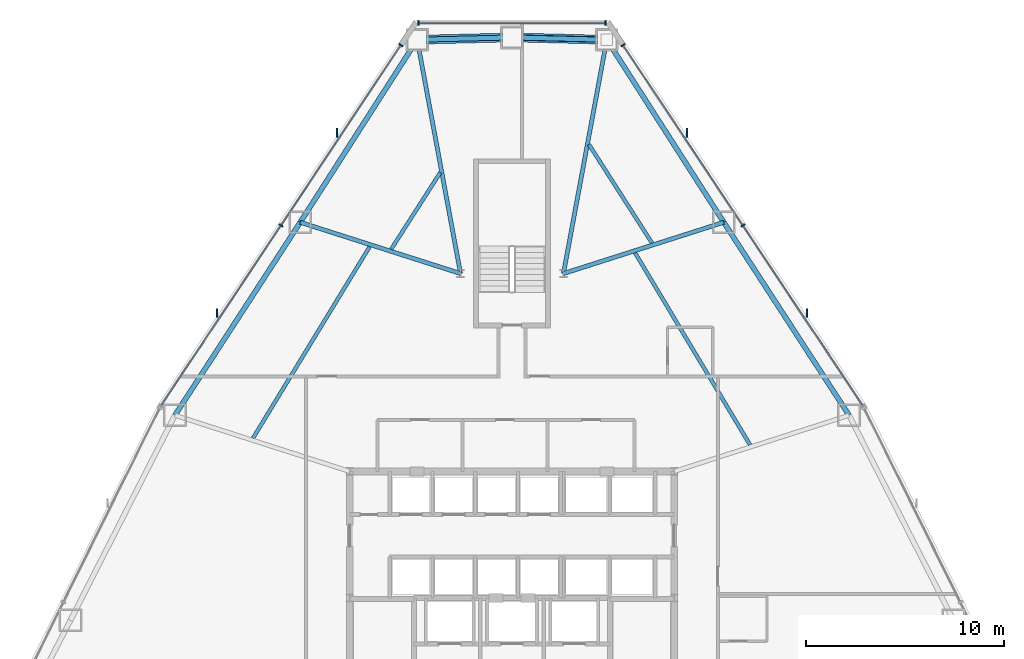
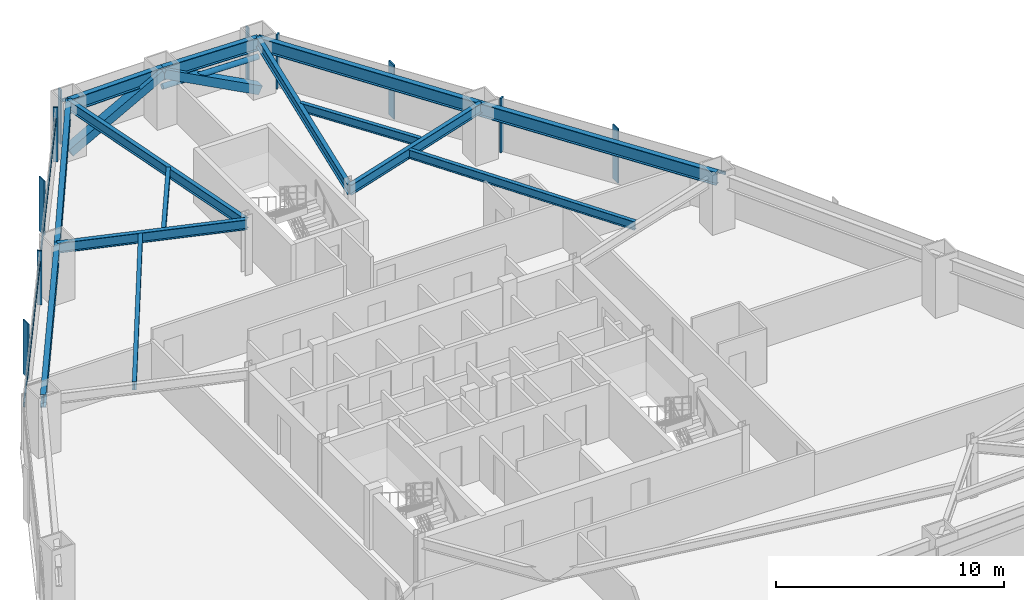
# One storey, part 7 of 12: 16 members, 14 beams, 3 elements without a shape of their own.
"""IFC4 building model written with IfcOpenShell, lengths in metres."""

from ifc_helpers import new_model, si_unit, direction, frame, origin, origin_2d, place, context, subcontext, project, spatial, rectangle, hollow_rectangle, hollow_circle, i_section, extrude, source, transform, mapped, material, layer, layer_set, material_profile, profile_set, type_object, type_shapes, element, aggregate, save


model = new_model("IFC4")

# Units and contexts
model_context = context("Model", 3, precision=1e-05, world=origin(), true_north=direction((0.0, 1.0)))
body_context = subcontext(model_context, "Body", "Model", "MODEL_VIEW")
ifc_project = project(units=[si_unit("LENGTHUNIT", "METRE"), si_unit("AREAUNIT", "SQUARE_METRE"), si_unit("VOLUMEUNIT", "CUBIC_METRE"), si_unit("PLANEANGLEUNIT", "RADIAN"), si_unit("MASSUNIT", "GRAM", prefix="KILO")], contexts=[model_context])

# Site, building, storey
site_placement = place(None, origin())
site = spatial("IfcSite", under=ifc_project, at=site_placement, CompositionType="ELEMENT")
building_placement = place(site_placement, origin())
building = spatial("IfcBuilding", under=site, at=building_placement, Name="Varakhsha Concourse Tower", CompositionType="ELEMENT")
storey_placement = place(building_placement, frame((0.0, 0.0, 65.60009765625)))
storey = spatial("IfcBuildingStorey", under=building, at=storey_placement, Name="L18", CompositionType="ELEMENT", Elevation=65.60009765625)

# Beams
ifc_material_1 = material(Name="Structural Steel ASTM A992 Grade 50", Category="steel")
ifc_material_profile_1 = material_profile(ifc_material_1, i_section(OverallWidth=0.19091796875, OverallDepth=0.45703125, WebThickness=0.009033203125, FlangeThickness=0.013916015625, at=origin_2d()), Name="W18X50")
ifc_profile_set_1 = profile_set([ifc_material_profile_1], Name="Structural Steel ASTM A992 Grade 50")
beam_type_1 = type_object("IfcBeamType", Name="BM-JST-W18X50", PredefinedType="JOIST", material=ifc_profile_set_1)
beam_1_placement = place(storey_placement, frame((36.376708984375, 46.306396484375, 2.67138671875), z_axis=(-0.539448153632, -0.842018817808, 0.0), x_axis=(0.842018817808, -0.539448153632, 0.0)))
element("IfcBeam", 1, at=beam_1_placement, inside=storey, type_object=beam_type_1, Name="BM-TJST-L18-03", PredefinedType="JOIST", context=body_context, shape_type="SweptSolid", body=[
    extrude(i_section(OverallWidth=0.19091796875, OverallDepth=0.45703125, WebThickness=0.009033203125, FlangeThickness=0.013916015625, at=origin_2d()), origin(), (0.0, 0.0, 1.0), 4.600830078125),
])
beam_2_placement = place(storey_placement, frame((32.805908203125, 42.556396484375, 2.67138671875), z_axis=(-0.520412401595, -0.853915061505, 0.0), x_axis=(0.853915061505, -0.520412401595, 0.0)))
element("IfcBeam", 2, at=beam_2_placement, inside=storey, type_object=beam_type_1, Name="BM-TJST-L18-04", PredefinedType="JOIST", context=body_context, shape_type="SweptSolid", body=[
    extrude(i_section(OverallWidth=0.19091796875, OverallDepth=0.45703125, WebThickness=0.009033203125, FlangeThickness=0.013916015625, at=origin_2d()), origin(), (0.0, 0.0, 1.0), 11.329833984375),
])
beam_3_placement = place(storey_placement, frame((52.031005859375, 32.541748046875, 2.67138671875), z_axis=(-0.513692387405, 0.857974435005, 0.0), x_axis=(-0.857974435005, -0.513692387405, 0.0)))
element("IfcBeam", 3, at=beam_3_placement, inside=storey, type_object=beam_type_1, Name="BM-TJST-L18-17", PredefinedType="JOIST", context=body_context, shape_type="SweptSolid", body=[
    extrude(i_section(OverallWidth=0.19091796875, OverallDepth=0.45703125, WebThickness=0.009033203125, FlangeThickness=0.013916015625, at=origin_2d()), origin(), (0.0, 0.0, 1.0), 11.309814453125),
])
beam_4_placement = place(storey_placement, frame((47.077392578125, 42.7431640625, 2.67138671875), z_axis=(-0.539426076223, 0.842032961523, 0.0), x_axis=(-0.842032961523, -0.539426076223, 0.0)))
element("IfcBeam", 4, at=beam_4_placement, inside=storey, type_object=beam_type_1, Name="BM-TJST-L18-18", PredefinedType="JOIST", context=body_context, shape_type="SweptSolid", body=[
    extrude(i_section(OverallWidth=0.19091796875, OverallDepth=0.45703125, WebThickness=0.009033203125, FlangeThickness=0.013916015625, at=origin_2d()), origin(), (0.0, 0.0, 1.0), 5.915283203125),
])
ifc_material_profile_2 = material_profile(ifc_material_1, i_section(OverallWidth=0.2109375, OverallDepth=0.5390625, WebThickness=0.011962890625, FlangeThickness=0.01904296875, at=origin_2d()), Name="W21X73")
ifc_profile_set_2 = profile_set([ifc_material_profile_2], Name="Structural Steel ASTM A992 Grade 50")
beam_type_2 = type_object("IfcBeamType", Name="BM-RAD-W21X73", PredefinedType="BEAM", material=ifc_profile_set_2)
for number, where, z_axis, x_axis, name in (
    (5, (42.60009765625, 41.199951171875, 2.63037109375), (0.182316963027, 0.983239810521, 0.0), (-0.983239810521, 0.182316963027, 0.0), "L18 Radial Floor Girder 01"),
    (6, (37.39990234375, 41.199951171875, 2.63037109375), (-0.182316963027, 0.983239810521, 0.0), (-0.983239810521, -0.182316963027, 0.0), "L18 Radial Floor Girder 03"),
):
    element("IfcBeam", number, at=place(storey_placement, frame(where, z_axis=z_axis, x_axis=x_axis)), inside=storey, type_object=beam_type_2, Name=name, PredefinedType="BEAM", context=body_context, shape_type="SweptSolid", body=[
        extrude(i_section(OverallWidth=0.2109375, OverallDepth=0.5390625, WebThickness=0.011962890625, FlangeThickness=0.01904296875, at=origin_2d()), origin(), (0.0, 0.0, 1.0), 12.01708984375),
    ])
for number, where, z_axis, x_axis, name in (
    (7, (37.39990234375, 41.199951171875, 2.63037109375), (-0.952503770895, 0.30452679099, 0.0), (-0.30452679099, -0.952503770895, 0.0), "L18 Radial Floor Girder 04"),
    (8, (42.60009765625, 41.199951171875, 2.63037109375), (0.952503770895, 0.30452679099, 0.0), (-0.30452679099, 0.952503770895, 0.0), "L18 Radial Floor Girder 18"),
):
    element("IfcBeam", number, at=place(storey_placement, frame(where, z_axis=z_axis, x_axis=x_axis)), inside=storey, type_object=beam_type_2, Name=name, PredefinedType="BEAM", context=body_context, shape_type="SweptSolid", body=[
        extrude(i_section(OverallWidth=0.2109375, OverallDepth=0.5390625, WebThickness=0.011962890625, FlangeThickness=0.01904296875, at=origin_2d()), origin(), (0.0, 0.0, 1.0), 8.50537109375),
    ])
ifc_material_profile_3 = material_profile(ifc_material_1, i_section(OverallWidth=0.25390625, OverallDepth=0.701904296875, WebThickness=0.014892578125, FlangeThickness=0.028076171875, at=origin_2d()), Name="W27X129")
ifc_profile_set_3 = profile_set([ifc_material_profile_3], Name="Structural Steel ASTM A992 Grade 50")
beam_type_3 = type_object("IfcBeamType", Name="BM-SPAN-W27X129", PredefinedType="SPANDREL", material=ifc_profile_set_3)
for number, where, z_axis, x_axis, name in (
    (9, (44.791015625, 53.015625, 2.548828125), (-0.999694733244, 0.024707090584, 0.0), (-0.024707090584, -0.999694733244, 0.0), "BM-SPAN-L18-01"),
    (10, (40.0, 53.134033203125, 2.548828125), (-0.999694733244, -0.024707090584, 0.0), (0.024707090584, -0.999694733244, 0.0), "BM-SPAN-L18-02"),
):
    element("IfcBeam", number, at=place(storey_placement, frame(where, z_axis=z_axis, x_axis=x_axis)), inside=storey, type_object=beam_type_3, Name=name, PredefinedType="SPANDREL", context=body_context, shape_type="SweptSolid", body=[
        extrude(i_section(OverallWidth=0.25390625, OverallDepth=0.701904296875, WebThickness=0.014892578125, FlangeThickness=0.028076171875, at=origin_2d()), origin(), (0.0, 0.0, 1.0), 4.79248046875),
    ])
beam_5_placement = place(storey_placement, frame((35.208984375, 53.015625, 2.548828125), z_axis=(-0.539443776908, -0.842021621786, 0.0), x_axis=(0.842021621786, -0.539443776908, 0.0)))
element("IfcBeam", 11, at=beam_5_placement, inside=storey, type_object=beam_type_3, Name="BM-SPAN-L18-03", PredefinedType="SPANDREL", context=body_context, shape_type="SweptSolid", body=[
    extrude(i_section(OverallWidth=0.25390625, OverallDepth=0.701904296875, WebThickness=0.014892578125, FlangeThickness=0.028076171875, at=origin_2d()), origin(), (0.0, 0.0, 1.0), 10.95654296875),
])
for number, where, z_axis, x_axis, name in (
    (12, (29.298583984375, 43.7900390625, 2.548828125), (-0.544554434333, -0.838725502205, 0.0), (0.838725502205, -0.544554434333, 0.0), "BM-SPAN-L18-04"),
    (13, (57.034912109375, 34.03515625, 2.548828125), (-0.544554434333, 0.838725502205, 0.0), (-0.838725502205, -0.544554434333, 0.0), "BM-SPAN-L18-17"),
):
    element("IfcBeam", number, at=place(storey_placement, frame(where, z_axis=z_axis, x_axis=x_axis)), inside=storey, type_object=beam_type_3, Name=name, PredefinedType="SPANDREL", context=body_context, shape_type="SweptSolid", body=[
        extrude(i_section(OverallWidth=0.25390625, OverallDepth=0.701904296875, WebThickness=0.014892578125, FlangeThickness=0.028076171875, at=origin_2d()), origin(), (0.0, 0.0, 1.0), 11.630615234375),
    ])
beam_6_placement = place(storey_placement, frame((50.701416015625, 43.7900390625, 2.548828125), z_axis=(-0.539443776908, 0.842021621786, 0.0), x_axis=(-0.842021621786, -0.539443776908, 0.0)))
element("IfcBeam", 14, at=beam_6_placement, inside=storey, type_object=beam_type_3, Name="BM-SPAN-L18-18", PredefinedType="SPANDREL", context=body_context, shape_type="SweptSolid", body=[
    extrude(i_section(OverallWidth=0.25390625, OverallDepth=0.701904296875, WebThickness=0.014892578125, FlangeThickness=0.028076171875, at=origin_2d()), origin(), (0.0, 0.0, 1.0), 10.95654296875),
])

# Members
ifc_material_2 = material(Name="Structural Steel ASTM A500 Grade C", Category="steel")
ifc_material_profile_4 = material_profile(ifc_material_2, hollow_rectangle(XDim=0.449951171875, YDim=0.449951171875, WallThickness=0.01904296875, at=origin_2d()), Name="HSS 450x450x19")
ifc_profile_set_4 = profile_set([ifc_material_profile_4], Name="Structural Steel ASTM A500 Grade C")
member_type_1 = type_object("IfcMemberType", Name="MB-TUBE-HSS450", PredefinedType="BRACE", material=ifc_profile_set_4)
shared_shape_1 = source(origin(), body_context, "Body", "SweptSolid", [
    extrude(hollow_rectangle(XDim=0.449951171875, YDim=0.449951171875, WallThickness=0.01904296875, at=origin_2d()), origin(), (0.0, 0.0, 1.0), 5.396240234375),
])
type_shapes(member_type_1, [shared_shape_1])
for number, where, z_axis, x_axis, name in (
    (15, (44.791015625, 53.015625, 0.119873046875), (-0.88786240176, 0.021943195315, 0.459585521661), (-0.024707090584, -0.999694733244, 0.0), "L18 Wind-Corner Tube Brace B01"),
    (16, (35.208984375, 53.015625, 0.119873046875), (0.88786240176, 0.021943195315, 0.459585521661), (-0.024707090584, 0.999694733244, 0.0), "L18 Wind-Corner Tube Brace B02"),
):
    element("IfcMember", number, at=place(storey_placement, frame(where, z_axis=z_axis, x_axis=x_axis)), inside=storey, type_object=member_type_1, Name=name, PredefinedType="BRACE", context=body_context, shape_type="MappedRepresentation", body=[
        mapped(shared_shape_1, transform((0.0, 0.0, 0.0), scale=1.0)),
    ])
ifc_material_profile_5 = material_profile(ifc_material_2, hollow_circle(Radius=0.136474609375, WallThickness=0.011962890625, at=origin_2d()), Name="CHS 273x12")
ifc_profile_set_5 = profile_set([ifc_material_profile_5], Name="Structural Steel ASTM A500 Grade C")
member_type_2 = type_object("IfcMemberType", Name="MB-WIND-CHS273", PredefinedType="COLLAR", material=ifc_profile_set_5)
shared_shape_2 = source(origin(), body_context, "Body", "SweptSolid", [
    extrude(hollow_circle(Radius=0.136474609375, WallThickness=0.011962890625, at=origin_2d()), origin(), (0.0, 0.0, 1.0), 4.79248046875),
])
type_shapes(member_type_2, [shared_shape_2])
member_1_placement = place(storey_placement, frame((44.791015625, 53.015625, 1.7998046875), z_axis=(-0.999694733244, 0.024707090584, 0.0), x_axis=(-0.024707090584, -0.999694733244, 0.0)))
element("IfcMember", 17, at=member_1_placement, inside=storey, type_object=member_type_2, Name="L18 Wind-Corner Collar Tie 1", PredefinedType="COLLAR", context=body_context, shape_type="MappedRepresentation", body=[
    mapped(shared_shape_2, transform((0.0, 0.0, 0.0), scale=1.0)),
])

# Curtain wall, member
ifc_material_3 = material(Name="Anodised Bronze Architectural Aluminium AA 6063-T6", Category="aluminium")
ifc_layer = layer(ifc_material_3, 0.219970703125, Name="CW-SYS-02")
ifc_layer_set = layer_set([ifc_layer], Name="Anodised Bronze Architectural Aluminium AA 6063-T6")
curtain_wall_type = type_object("IfcCurtainWallType", Name="CW-SYS-02", PredefinedType="NOTDEFINED", material=ifc_layer_set)
curtain_wall_1_placement = place(storey_placement, origin())
curtain_wall_1 = element("IfcCurtainWall", 18, at=curtain_wall_1_placement, inside=storey, type_object=curtain_wall_type, Name="L18 Chamfer Curtain Wall F1", PredefinedType="NOTDEFINED")
ifc_material_profile_6 = material_profile(ifc_material_3, rectangle(XDim=0.06494140625, YDim=0.159912109375, at=origin_2d()), Name="CWT-160X65")
ifc_profile_set_6 = profile_set([ifc_material_profile_6], Name="Anodised Bronze Architectural Aluminium AA 6063-T6")
member_type_3 = type_object("IfcMemberType", Name="CWT-160X65", PredefinedType="USERDEFINED", material=ifc_profile_set_6)
shared_shape_3 = source(origin(), body_context, "Body", "SweptSolid", [
    extrude(rectangle(XDim=0.06494140625, YDim=0.159912109375, at=origin_2d()), origin(), (0.0, 0.0, 1.0), 9.47412109375),
])
member_2_placement = place(storey_placement, frame((35.262939453125, 53.85400390625, 2.25), z_axis=(1.0, 0.0, 0.0), x_axis=(0.0, 1.0, 0.0)))
member_2 = element("IfcMember", 19, at=member_2_placement, type_object=member_type_3, Name="CW-L18-F1 Transom 01", ObjectType="TRANSOM", PredefinedType="USERDEFINED", context=body_context, shape_type="MappedRepresentation", body=[
    mapped(shared_shape_3, transform((0.0, 0.0, 0.0), scale=1.0)),
])

curtain_wall_2_placement = place(storey_placement, origin())
curtain_wall_2 = element("IfcCurtainWall", 20, at=curtain_wall_2_placement, inside=storey, type_object=curtain_wall_type, Name="L18 Crystal Curtain Wall F2", PredefinedType="NOTDEFINED")
shared_shape_4 = source(origin(), body_context, "Body", "SweptSolid", [
    extrude(rectangle(XDim=0.06494140625, YDim=0.159912109375, at=origin_2d()), origin(), (0.0, 0.0, 1.0), 21.888427734375),
])
type_shapes(member_type_3, [shared_shape_3, shared_shape_4])
member_3_placement = place(storey_placement, frame((22.26611328125, 34.51904296875, 2.25), z_axis=(0.553881401626, 0.832595575855, 0.0), x_axis=(-0.832595575855, 0.553881401626, 0.0)))
member_3 = element("IfcMember", 21, at=member_3_placement, type_object=member_type_3, Name="CW-L18-F2 Transom 01", ObjectType="TRANSOM", PredefinedType="USERDEFINED", context=body_context, shape_type="MappedRepresentation", body=[
    mapped(shared_shape_4, transform((0.0, 0.0, 0.0), scale=1.0)),
])

curtain_wall_3_placement = place(storey_placement, origin())
curtain_wall_3 = element("IfcCurtainWall", 22, at=curtain_wall_3_placement, inside=storey, type_object=curtain_wall_type, Name="L18 Crystal Curtain Wall F9", PredefinedType="NOTDEFINED")
member_4_placement = place(storey_placement, frame((45.6103515625, 52.7431640625, 2.25), z_axis=(0.553881401626, -0.832595575855, 0.0), x_axis=(0.832595575855, 0.553881401626, 0.0)))
member_4 = element("IfcMember", 23, at=member_4_placement, type_object=member_type_3, Name="CW-L18-F9 Transom 01", ObjectType="TRANSOM", PredefinedType="USERDEFINED", context=body_context, shape_type="MappedRepresentation", body=[
    mapped(shared_shape_4, transform((0.0, 0.0, 0.0), scale=1.0)),
])

# Member
ifc_material_profile_7 = material_profile(ifc_material_3, rectangle(XDim=0.074951171875, YDim=0.219970703125, at=origin_2d()), Name="CWM-220X75")
ifc_profile_set_7 = profile_set([ifc_material_profile_7], Name="Anodised Bronze Architectural Aluminium AA 6063-T6")
member_type_4 = type_object("IfcMemberType", Name="CWM-220X75", PredefinedType="MULLION", material=ifc_profile_set_7)
shared_shape_5 = source(origin(), body_context, "Body", "SweptSolid", [
    extrude(rectangle(XDim=0.074951171875, YDim=0.219970703125, at=origin_2d()), origin(), (0.0, 0.0, 1.0), 2.89990234375),
])
type_shapes(member_type_4, [shared_shape_5])
member_5_placement = place(storey_placement, frame((35.262939453125, 53.85400390625, 0.0), z_axis=(0.0, 0.0, 1.0), x_axis=(1.0, 0.0, 0.0)))
member_5 = element("IfcMember", 24, at=member_5_placement, type_object=member_type_4, Name="CW-L18-F1 Mullion 00", PredefinedType="MULLION", context=body_context, shape_type="MappedRepresentation", body=[
    mapped(shared_shape_5, transform((0.0, 0.0, 0.0), scale=1.0)),
])

member_6_placement = place(storey_placement, frame((44.737060546875, 53.85400390625, 0.0), z_axis=(0.0, 0.0, 1.0), x_axis=(1.0, 0.0, 0.0)))
member_6 = element("IfcMember", 25, at=member_6_placement, type_object=member_type_4, Name="CW-L18-F1 Mullion 01", PredefinedType="MULLION", context=body_context, shape_type="MappedRepresentation", body=[
    mapped(shared_shape_5, transform((0.0, 0.0, 0.0), scale=1.0)),
])

aggregate(curtain_wall_1, [member_5, member_6, member_2])

member_7_placement = place(storey_placement, frame((28.327880859375, 43.631103515625, 0.0), z_axis=(0.0, 0.0, 1.0), x_axis=(0.553879904586, 0.832596571753, 0.0)))
member_7 = element("IfcMember", 26, at=member_7_placement, type_object=member_type_4, Name="CW-L18-F2 Mullion 01", PredefinedType="MULLION", context=body_context, shape_type="MappedRepresentation", body=[
    mapped(shared_shape_5, transform((0.0, 0.0, 0.0), scale=1.0)),
])

member_8_placement = place(storey_placement, frame((34.3896484375, 52.7431640625, 0.0), z_axis=(0.0, 0.0, 1.0), x_axis=(0.553879904586, 0.832596571753, 0.0)))
member_8 = element("IfcMember", 27, at=member_8_placement, type_object=member_type_4, Name="CW-L18-F2 Mullion 02", PredefinedType="MULLION", context=body_context, shape_type="MappedRepresentation", body=[
    mapped(shared_shape_5, transform((0.0, 0.0, 0.0), scale=1.0)),
])

member_9_placement = place(storey_placement, frame((45.6103515625, 52.7431640625, 0.0), z_axis=(0.0, 0.0, 1.0), x_axis=(0.553879904586, -0.832596571753, 0.0)))
member_9 = element("IfcMember", 28, at=member_9_placement, type_object=member_type_4, Name="CW-L18-F9 Mullion 00", PredefinedType="MULLION", context=body_context, shape_type="MappedRepresentation", body=[
    mapped(shared_shape_5, transform((0.0, 0.0, 0.0), scale=1.0)),
])

member_10_placement = place(storey_placement, frame((51.672119140625, 43.631103515625, 0.0), z_axis=(0.0, 0.0, 1.0), x_axis=(0.553879904586, -0.832596571753, 0.0)))
member_10 = element("IfcMember", 29, at=member_10_placement, type_object=member_type_4, Name="CW-L18-F9 Mullion 01", PredefinedType="MULLION", context=body_context, shape_type="MappedRepresentation", body=[
    mapped(shared_shape_5, transform((0.0, 0.0, 0.0), scale=1.0)),
])

ifc_material_profile_8 = material_profile(ifc_material_3, rectangle(XDim=0.06494140625, YDim=0.449951171875, at=origin_2d()), Name="FIN-BRZ-450")
ifc_profile_set_8 = profile_set([ifc_material_profile_8], Name="Anodised Bronze Architectural Aluminium AA 6063-T6")
member_type_5 = type_object("IfcMemberType", Name="FIN-BRZ-450", PredefinedType="USERDEFINED", material=ifc_profile_set_8)
shared_shape_6 = source(origin(), body_context, "Body", "SweptSolid", [
    extrude(rectangle(XDim=0.06494140625, YDim=0.449951171875, at=origin_2d()), origin(), (0.0, 0.0, 1.0), 2.89990234375),
])
type_shapes(member_type_5, [shared_shape_6])
member_11_placement = place(storey_placement, frame((25.09716796875, 39.2080078125, 0.0), z_axis=(0.0, 0.0, 1.0), x_axis=(1.0, 0.0, 0.0)))
member_11 = element("IfcMember", 30, at=member_11_placement, type_object=member_type_5, Name="L18 Anodised Bronze Solar Fin F2-1", ObjectType="SOLAR FIN", PredefinedType="USERDEFINED", context=body_context, shape_type="MappedRepresentation", body=[
    mapped(shared_shape_6, transform((0.0, 0.0, 0.0), scale=1.0)),
])

member_12_placement = place(storey_placement, frame((31.158935546875, 48.320068359375, 0.0), z_axis=(0.0, 0.0, 1.0), x_axis=(1.0, 0.0, 0.0)))
member_12 = element("IfcMember", 31, at=member_12_placement, type_object=member_type_5, Name="L18 Anodised Bronze Solar Fin F2-2", ObjectType="SOLAR FIN", PredefinedType="USERDEFINED", context=body_context, shape_type="MappedRepresentation", body=[
    mapped(shared_shape_6, transform((0.0, 0.0, 0.0), scale=1.0)),
])

aggregate(curtain_wall_2, [member_7, member_8, member_3, member_11, member_12])

member_13_placement = place(storey_placement, frame((48.841064453125, 48.320068359375, 0.0), z_axis=(0.0, 0.0, 1.0), x_axis=(1.0, 0.0, 0.0)))
member_13 = element("IfcMember", 32, at=member_13_placement, type_object=member_type_5, Name="L18 Anodised Bronze Solar Fin F9-1", ObjectType="SOLAR FIN", PredefinedType="USERDEFINED", context=body_context, shape_type="MappedRepresentation", body=[
    mapped(shared_shape_6, transform((0.0, 0.0, 0.0), scale=1.0)),
])

member_14_placement = place(storey_placement, frame((54.90283203125, 39.2080078125, 0.0), z_axis=(0.0, 0.0, 1.0), x_axis=(1.0, 0.0, 0.0)))
member_14 = element("IfcMember", 33, at=member_14_placement, type_object=member_type_5, Name="L18 Anodised Bronze Solar Fin F9-2", ObjectType="SOLAR FIN", PredefinedType="USERDEFINED", context=body_context, shape_type="MappedRepresentation", body=[
    mapped(shared_shape_6, transform((0.0, 0.0, 0.0), scale=1.0)),
])

aggregate(curtain_wall_3, [member_9, member_10, member_4, member_13, member_14])

save(model, "model.ifc")
